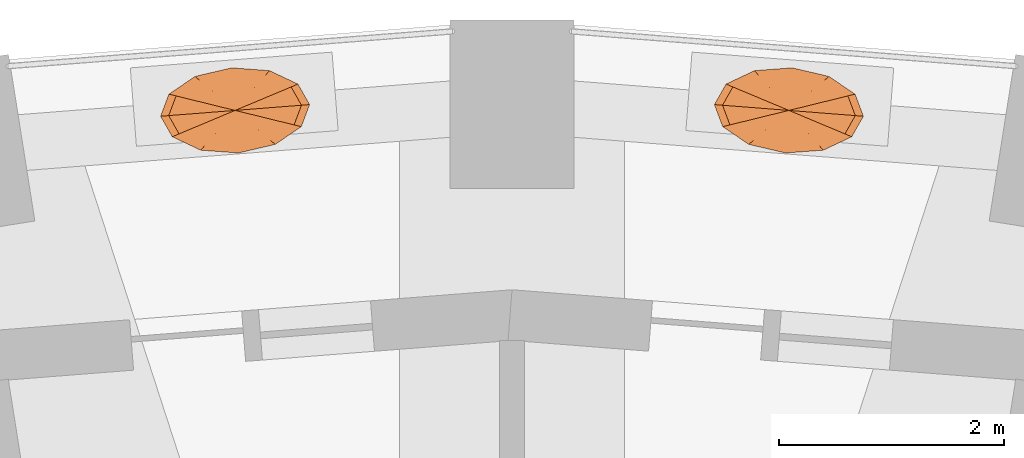
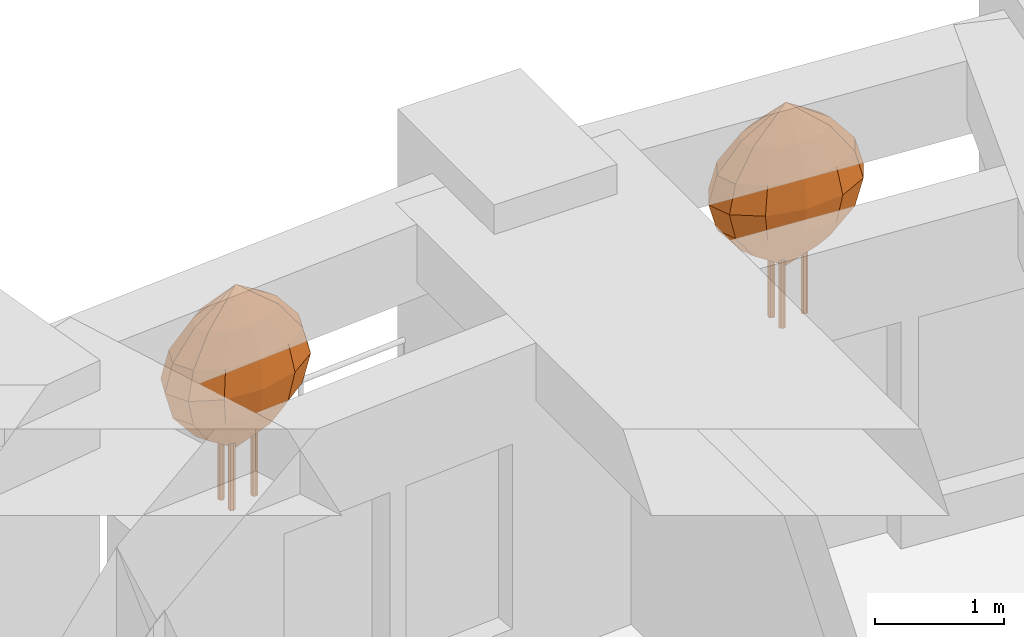
# One storey, part 13 of 13: 2 geographic elements.
"""IFC4 building model written with IfcOpenShell, lengths in metres."""

from ifc_helpers import new_model, si_unit, direction, frame, origin, place, context, subcontext, project, spatial, faceted_brep, material, constituent, constituent_set, type_object, element, save


model = new_model("IFC4")

# Units and contexts
model_context = context("Model", 3, precision=1e-05, world=origin(), true_north=direction((0.0, 1.0)))
body_context = subcontext(model_context, "Body", "Model", "MODEL_VIEW")
ifc_project = project(units=[si_unit("LENGTHUNIT", "METRE"), si_unit("AREAUNIT", "SQUARE_METRE"), si_unit("VOLUMEUNIT", "CUBIC_METRE"), si_unit("PLANEANGLEUNIT", "RADIAN"), si_unit("MASSUNIT", "GRAM", prefix="KILO")], contexts=[model_context])

# Site, building, storey
site_placement = place(None, origin())
site = spatial("IfcSite", under=ifc_project, at=site_placement, CompositionType="ELEMENT")
building_placement = place(site_placement, origin())
building = spatial("IfcBuilding", under=site, at=building_placement, Name="Taillehof Tower", CompositionType="ELEMENT")
storey_placement = place(building_placement, frame((0.0, 0.0, 58.0)))
storey = spatial("IfcBuildingStorey", under=building, at=storey_placement, Name="L15", CompositionType="ELEMENT", Elevation=58.0)

# Geographic elements
ifc_material_1 = material(Name="Tree bark", Category="timber")
ifc_constituent_1 = constituent(ifc_material_1, Name="Trunk", Category="timber")
ifc_material_2 = material(Name="Tree foliage")
ifc_constituent_2 = constituent(ifc_material_2, Name="Crown")
ifc_constituent_set = constituent_set(constituents=[ifc_constituent_1, ifc_constituent_2], Name="Tree TR3 Multi-stem serviceberry")
geographic_element_type = type_object("IfcGeographicElementType", Name="Tree TR3 Multi-stem serviceberry", PredefinedType="USERDEFINED", material=ifc_constituent_set)
geographic_element_1_placement = place(storey_placement, frame((2.463623046875, 25.195556640625, 0.75)))
element("IfcGeographicElement", 1, at=geographic_element_1_placement, inside=storey, type_object=geographic_element_type, Name="Tree TR3 Multi-stem serviceberry", ObjectType="TREE", PredefinedType="USERDEFINED", context=body_context, shape_type="Brep", body=[
    faceted_brep([(0.195068359375, 0.0, 0.0), (0.186767578125, 0.0205078125, 0.0), (0.186767578125, 0.0205078125, 1.04248046875), (0.195068359375, 0.0, 1.04248046875), (0.166259765625, 0.02880859375, 0.0), (0.166259765625, 0.02880859375, 1.04248046875), (0.145751953125, 0.0205078125, 0.0), (0.145751953125, 0.0205078125, 1.04248046875), (0.137451171875, 0.0, 0.0), (0.137451171875, 0.0, 1.04248046875), (0.145751953125, -0.0205078125, 0.0), (0.145751953125, -0.0205078125, 1.04248046875), (0.166259765625, -0.02880859375, 0.0), (0.166259765625, -0.02880859375, 1.04248046875), (0.186767578125, -0.0205078125, 0.0), (0.186767578125, -0.0205078125, 1.04248046875)], [[[0, 1, 2, 3]], [[1, 4, 5, 2]], [[4, 6, 7, 5]], [[6, 8, 9, 7]], [[8, 10, 11, 9]], [[10, 12, 13, 11]], [[12, 14, 15, 13]], [[14, 0, 3, 15]], [[14, 12, 10, 8, 6, 4, 1, 0]], [[3, 2, 5, 7, 9, 11, 13, 15]]]),
    faceted_brep([(-0.05419921875, 0.082275390625, 0.0), (-0.062744140625, 0.102783203125, 0.0), (-0.062744140625, 0.102783203125, 1.04248046875), (-0.05419921875, 0.082275390625, 1.04248046875), (-0.0830078125, 0.111083984375, 0.0), (-0.0830078125, 0.111083984375, 1.04248046875), (-0.103515625, 0.102783203125, 0.0), (-0.103515625, 0.102783203125, 1.04248046875), (-0.112060546875, 0.082275390625, 0.0), (-0.112060546875, 0.082275390625, 1.04248046875), (-0.103515625, 0.061767578125, 0.0), (-0.103515625, 0.061767578125, 1.04248046875), (-0.0830078125, 0.053466796875, 0.0), (-0.0830078125, 0.053466796875, 1.04248046875), (-0.062744140625, 0.061767578125, 0.0), (-0.062744140625, 0.061767578125, 1.04248046875)], [[[0, 1, 2, 3]], [[1, 4, 5, 2]], [[4, 6, 7, 5]], [[6, 8, 9, 7]], [[8, 10, 11, 9]], [[10, 12, 13, 11]], [[12, 14, 15, 13]], [[14, 0, 3, 15]], [[14, 12, 10, 8, 6, 4, 1, 0]], [[3, 2, 5, 7, 9, 11, 13, 15]]]),
    faceted_brep([(-0.05419921875, -0.082275390625, 0.0), (-0.062744140625, -0.061767578125, 0.0), (-0.062744140625, -0.061767578125, 1.04248046875), (-0.05419921875, -0.082275390625, 1.04248046875), (-0.0830078125, -0.053466796875, 0.0), (-0.0830078125, -0.053466796875, 1.04248046875), (-0.103515625, -0.061767578125, 0.0), (-0.103515625, -0.061767578125, 1.04248046875), (-0.112060546875, -0.082275390625, 0.0), (-0.112060546875, -0.082275390625, 1.04248046875), (-0.103515625, -0.102783203125, 0.0), (-0.103515625, -0.102783203125, 1.04248046875), (-0.0830078125, -0.111083984375, 0.0), (-0.0830078125, -0.111083984375, 1.04248046875), (-0.062744140625, -0.102783203125, 0.0), (-0.062744140625, -0.102783203125, 1.04248046875)], [[[0, 1, 2, 3]], [[1, 4, 5, 2]], [[4, 6, 7, 5]], [[6, 8, 9, 7]], [[8, 10, 11, 9]], [[10, 12, 13, 11]], [[12, 14, 15, 13]], [[14, 0, 3, 15]], [[14, 12, 10, 8, 6, 4, 1, 0]], [[3, 2, 5, 7, 9, 11, 13, 15]]]),
    faceted_brep([(0.0, 0.0, 0.5), (-0.33837890625, -0.0830078125, 0.75830078125), (-0.380859375, 0.02978515625, 0.75830078125), (-0.205078125, -0.173583984375, 0.75830078125), (-0.01708984375, -0.217529296875, 0.75830078125), (0.175537109375, -0.203369140625, 0.75830078125), (0.3212890625, -0.134521484375, 0.75830078125), (0.380859375, -0.02978515625, 0.75830078125), (0.33837890625, 0.0830078125, 0.75830078125), (0.205078125, 0.173583984375, 0.75830078125), (0.01708984375, 0.217529296875, 0.75830078125), (-0.175537109375, 0.203369140625, 0.75830078125), (-0.3212890625, 0.134521484375, 0.75830078125), (-0.52490234375, -0.12890625, 1.0166015625), (-0.5908203125, 0.046142578125, 1.0166015625), (-0.318359375, -0.269287109375, 1.0166015625), (-0.0263671875, -0.337646484375, 1.0166015625), (0.272705078125, -0.3154296875, 1.0166015625), (0.49853515625, -0.208740234375, 1.0166015625), (0.5908203125, -0.046142578125, 1.0166015625), (0.52490234375, 0.12890625, 1.0166015625), (0.318359375, 0.269287109375, 1.0166015625), (0.0263671875, 0.337646484375, 1.0166015625), (-0.272705078125, 0.3154296875, 1.0166015625), (-0.49853515625, 0.208740234375, 1.0166015625), (-0.5888671875, -0.14453125, 1.27490234375), (-0.6630859375, 0.0517578125, 1.27490234375), (-0.357177734375, -0.30224609375, 1.27490234375), (-0.029541015625, -0.37890625, 1.27490234375), (0.305908203125, -0.35400390625, 1.27490234375), (0.559326171875, -0.234375, 1.27490234375), (0.6630859375, -0.0517578125, 1.27490234375), (0.5888671875, 0.14453125, 1.27490234375), (0.357177734375, 0.30224609375, 1.27490234375), (0.029541015625, 0.37890625, 1.27490234375), (-0.305908203125, 0.35400390625, 1.27490234375), (-0.559326171875, 0.234375, 1.27490234375), (-0.52490234375, -0.12890625, 1.533447265625), (-0.5908203125, 0.046142578125, 1.533447265625), (-0.318359375, -0.269287109375, 1.533447265625), (-0.0263671875, -0.337646484375, 1.533447265625), (0.272705078125, -0.3154296875, 1.533447265625), (0.49853515625, -0.208740234375, 1.533447265625), (0.5908203125, -0.046142578125, 1.533447265625), (0.52490234375, 0.12890625, 1.533447265625), (0.318359375, 0.269287109375, 1.533447265625), (0.0263671875, 0.337646484375, 1.533447265625), (-0.272705078125, 0.3154296875, 1.533447265625), (-0.49853515625, 0.208740234375, 1.533447265625), (-0.33837890625, -0.0830078125, 1.791748046875), (-0.380859375, 0.02978515625, 1.791748046875), (-0.205078125, -0.173583984375, 1.791748046875), (-0.01708984375, -0.217529296875, 1.791748046875), (0.175537109375, -0.203369140625, 1.791748046875), (0.3212890625, -0.134521484375, 1.791748046875), (0.380859375, -0.02978515625, 1.791748046875), (0.33837890625, 0.0830078125, 1.791748046875), (0.205078125, 0.173583984375, 1.791748046875), (0.01708984375, 0.217529296875, 1.791748046875), (-0.175537109375, 0.203369140625, 1.791748046875), (-0.3212890625, 0.134521484375, 1.791748046875), (0.0, 0.0, 2.050048828125)], [[[0, 1, 2]], [[0, 3, 1]], [[0, 4, 3]], [[0, 5, 4]], [[0, 6, 5]], [[0, 7, 6]], [[0, 8, 7]], [[0, 9, 8]], [[0, 10, 9]], [[0, 11, 10]], [[0, 12, 11]], [[0, 2, 12]], [[2, 1, 13, 14]], [[1, 3, 15, 13]], [[3, 4, 16, 15]], [[4, 5, 17, 16]], [[5, 6, 18, 17]], [[6, 7, 19, 18]], [[7, 8, 20, 19]], [[8, 9, 21, 20]], [[9, 10, 22, 21]], [[10, 11, 23, 22]], [[11, 12, 24, 23]], [[12, 2, 14, 24]], [[14, 13, 25, 26]], [[13, 15, 27, 25]], [[15, 16, 28, 27]], [[16, 17, 29, 28]], [[17, 18, 30, 29]], [[18, 19, 31, 30]], [[19, 20, 32, 31]], [[20, 21, 33, 32]], [[21, 22, 34, 33]], [[22, 23, 35, 34]], [[23, 24, 36, 35]], [[24, 14, 26, 36]], [[26, 25, 37, 38]], [[25, 27, 39, 37]], [[27, 28, 40, 39]], [[28, 29, 41, 40]], [[29, 30, 42, 41]], [[30, 31, 43, 42]], [[31, 32, 44, 43]], [[32, 33, 45, 44]], [[33, 34, 46, 45]], [[34, 35, 47, 46]], [[35, 36, 48, 47]], [[36, 26, 38, 48]], [[38, 37, 49, 50]], [[37, 39, 51, 49]], [[39, 40, 52, 51]], [[40, 41, 53, 52]], [[41, 42, 54, 53]], [[42, 43, 55, 54]], [[43, 44, 56, 55]], [[44, 45, 57, 56]], [[45, 46, 58, 57]], [[46, 47, 59, 58]], [[47, 48, 60, 59]], [[48, 38, 50, 60]], [[50, 49, 61]], [[49, 51, 61]], [[51, 52, 61]], [[52, 53, 61]], [[53, 54, 61]], [[54, 55, 61]], [[55, 56, 61]], [[56, 57, 61]], [[57, 58, 61]], [[58, 59, 61]], [[59, 60, 61]], [[60, 50, 61]]]),
])
geographic_element_2_placement = place(storey_placement, frame((-2.463623046875, 25.195556640625, 0.75)))
element("IfcGeographicElement", 2, at=geographic_element_2_placement, inside=storey, type_object=geographic_element_type, Name="Tree TR3 Multi-stem serviceberry", ObjectType="TREE", PredefinedType="USERDEFINED", context=body_context, shape_type="Brep", body=[
    faceted_brep([(0.195068359375, 0.0, 0.0), (0.186767578125, 0.0205078125, 0.0), (0.186767578125, 0.0205078125, 1.04248046875), (0.195068359375, 0.0, 1.04248046875), (0.166259765625, 0.02880859375, 0.0), (0.166259765625, 0.02880859375, 1.04248046875), (0.145751953125, 0.0205078125, 0.0), (0.145751953125, 0.0205078125, 1.04248046875), (0.137451171875, 0.0, 0.0), (0.137451171875, 0.0, 1.04248046875), (0.145751953125, -0.0205078125, 0.0), (0.145751953125, -0.0205078125, 1.04248046875), (0.166259765625, -0.02880859375, 0.0), (0.166259765625, -0.02880859375, 1.04248046875), (0.186767578125, -0.0205078125, 0.0), (0.186767578125, -0.0205078125, 1.04248046875)], [[[0, 1, 2, 3]], [[1, 4, 5, 2]], [[4, 6, 7, 5]], [[6, 8, 9, 7]], [[8, 10, 11, 9]], [[10, 12, 13, 11]], [[12, 14, 15, 13]], [[14, 0, 3, 15]], [[14, 12, 10, 8, 6, 4, 1, 0]], [[3, 2, 5, 7, 9, 11, 13, 15]]]),
    faceted_brep([(-0.05419921875, 0.082275390625, 0.0), (-0.062744140625, 0.102783203125, 0.0), (-0.062744140625, 0.102783203125, 1.04248046875), (-0.05419921875, 0.082275390625, 1.04248046875), (-0.0830078125, 0.111083984375, 0.0), (-0.0830078125, 0.111083984375, 1.04248046875), (-0.103515625, 0.102783203125, 0.0), (-0.103515625, 0.102783203125, 1.04248046875), (-0.112060546875, 0.082275390625, 0.0), (-0.112060546875, 0.082275390625, 1.04248046875), (-0.103515625, 0.061767578125, 0.0), (-0.103515625, 0.061767578125, 1.04248046875), (-0.0830078125, 0.053466796875, 0.0), (-0.0830078125, 0.053466796875, 1.04248046875), (-0.062744140625, 0.061767578125, 0.0), (-0.062744140625, 0.061767578125, 1.04248046875)], [[[0, 1, 2, 3]], [[1, 4, 5, 2]], [[4, 6, 7, 5]], [[6, 8, 9, 7]], [[8, 10, 11, 9]], [[10, 12, 13, 11]], [[12, 14, 15, 13]], [[14, 0, 3, 15]], [[14, 12, 10, 8, 6, 4, 1, 0]], [[3, 2, 5, 7, 9, 11, 13, 15]]]),
    faceted_brep([(-0.05419921875, -0.082275390625, 0.0), (-0.062744140625, -0.061767578125, 0.0), (-0.062744140625, -0.061767578125, 1.04248046875), (-0.05419921875, -0.082275390625, 1.04248046875), (-0.0830078125, -0.053466796875, 0.0), (-0.0830078125, -0.053466796875, 1.04248046875), (-0.103515625, -0.061767578125, 0.0), (-0.103515625, -0.061767578125, 1.04248046875), (-0.112060546875, -0.082275390625, 0.0), (-0.112060546875, -0.082275390625, 1.04248046875), (-0.103515625, -0.102783203125, 0.0), (-0.103515625, -0.102783203125, 1.04248046875), (-0.0830078125, -0.111083984375, 0.0), (-0.0830078125, -0.111083984375, 1.04248046875), (-0.062744140625, -0.102783203125, 0.0), (-0.062744140625, -0.102783203125, 1.04248046875)], [[[0, 1, 2, 3]], [[1, 4, 5, 2]], [[4, 6, 7, 5]], [[6, 8, 9, 7]], [[8, 10, 11, 9]], [[10, 12, 13, 11]], [[12, 14, 15, 13]], [[14, 0, 3, 15]], [[14, 12, 10, 8, 6, 4, 1, 0]], [[3, 2, 5, 7, 9, 11, 13, 15]]]),
    faceted_brep([(0.0, 0.0, 0.5), (-0.3212890625, -0.134521484375, 0.75830078125), (-0.380859375, -0.02978515625, 0.75830078125), (-0.175537109375, -0.203369140625, 0.75830078125), (0.01708984375, -0.217529296875, 0.75830078125), (0.205078125, -0.173583984375, 0.75830078125), (0.33837890625, -0.0830078125, 0.75830078125), (0.380859375, 0.02978515625, 0.75830078125), (0.3212890625, 0.134521484375, 0.75830078125), (0.175537109375, 0.203369140625, 0.75830078125), (-0.01708984375, 0.217529296875, 0.75830078125), (-0.205078125, 0.173583984375, 0.75830078125), (-0.33837890625, 0.0830078125, 0.75830078125), (-0.49853515625, -0.208740234375, 1.0166015625), (-0.5908203125, -0.046142578125, 1.0166015625), (-0.272705078125, -0.3154296875, 1.0166015625), (0.0263671875, -0.337646484375, 1.0166015625), (0.318359375, -0.269287109375, 1.0166015625), (0.52490234375, -0.12890625, 1.0166015625), (0.5908203125, 0.046142578125, 1.0166015625), (0.49853515625, 0.208740234375, 1.0166015625), (0.272705078125, 0.3154296875, 1.0166015625), (-0.0263671875, 0.337646484375, 1.0166015625), (-0.318359375, 0.269287109375, 1.0166015625), (-0.52490234375, 0.12890625, 1.0166015625), (-0.559326171875, -0.234375, 1.27490234375), (-0.6630859375, -0.0517578125, 1.27490234375), (-0.305908203125, -0.35400390625, 1.27490234375), (0.029541015625, -0.37890625, 1.27490234375), (0.357177734375, -0.30224609375, 1.27490234375), (0.5888671875, -0.14453125, 1.27490234375), (0.6630859375, 0.0517578125, 1.27490234375), (0.559326171875, 0.234375, 1.27490234375), (0.305908203125, 0.35400390625, 1.27490234375), (-0.029541015625, 0.37890625, 1.27490234375), (-0.357177734375, 0.30224609375, 1.27490234375), (-0.5888671875, 0.14453125, 1.27490234375), (-0.49853515625, -0.208740234375, 1.533447265625), (-0.5908203125, -0.046142578125, 1.533447265625), (-0.272705078125, -0.3154296875, 1.533447265625), (0.0263671875, -0.337646484375, 1.533447265625), (0.318359375, -0.269287109375, 1.533447265625), (0.52490234375, -0.12890625, 1.533447265625), (0.5908203125, 0.046142578125, 1.533447265625), (0.49853515625, 0.208740234375, 1.533447265625), (0.272705078125, 0.3154296875, 1.533447265625), (-0.0263671875, 0.337646484375, 1.533447265625), (-0.318359375, 0.269287109375, 1.533447265625), (-0.52490234375, 0.12890625, 1.533447265625), (-0.3212890625, -0.134521484375, 1.791748046875), (-0.380859375, -0.02978515625, 1.791748046875), (-0.175537109375, -0.203369140625, 1.791748046875), (0.01708984375, -0.217529296875, 1.791748046875), (0.205078125, -0.173583984375, 1.791748046875), (0.33837890625, -0.0830078125, 1.791748046875), (0.380859375, 0.02978515625, 1.791748046875), (0.3212890625, 0.134521484375, 1.791748046875), (0.175537109375, 0.203369140625, 1.791748046875), (-0.01708984375, 0.217529296875, 1.791748046875), (-0.205078125, 0.173583984375, 1.791748046875), (-0.33837890625, 0.0830078125, 1.791748046875), (0.0, 0.0, 2.050048828125)], [[[0, 1, 2]], [[0, 3, 1]], [[0, 4, 3]], [[0, 5, 4]], [[0, 6, 5]], [[0, 7, 6]], [[0, 8, 7]], [[0, 9, 8]], [[0, 10, 9]], [[0, 11, 10]], [[0, 12, 11]], [[0, 2, 12]], [[2, 1, 13, 14]], [[1, 3, 15, 13]], [[3, 4, 16, 15]], [[4, 5, 17, 16]], [[5, 6, 18, 17]], [[6, 7, 19, 18]], [[7, 8, 20, 19]], [[8, 9, 21, 20]], [[9, 10, 22, 21]], [[10, 11, 23, 22]], [[11, 12, 24, 23]], [[12, 2, 14, 24]], [[14, 13, 25, 26]], [[13, 15, 27, 25]], [[15, 16, 28, 27]], [[16, 17, 29, 28]], [[17, 18, 30, 29]], [[18, 19, 31, 30]], [[19, 20, 32, 31]], [[20, 21, 33, 32]], [[21, 22, 34, 33]], [[22, 23, 35, 34]], [[23, 24, 36, 35]], [[24, 14, 26, 36]], [[26, 25, 37, 38]], [[25, 27, 39, 37]], [[27, 28, 40, 39]], [[28, 29, 41, 40]], [[29, 30, 42, 41]], [[30, 31, 43, 42]], [[31, 32, 44, 43]], [[32, 33, 45, 44]], [[33, 34, 46, 45]], [[34, 35, 47, 46]], [[35, 36, 48, 47]], [[36, 26, 38, 48]], [[38, 37, 49, 50]], [[37, 39, 51, 49]], [[39, 40, 52, 51]], [[40, 41, 53, 52]], [[41, 42, 54, 53]], [[42, 43, 55, 54]], [[43, 44, 56, 55]], [[44, 45, 57, 56]], [[45, 46, 58, 57]], [[46, 47, 59, 58]], [[47, 48, 60, 59]], [[48, 38, 50, 60]], [[50, 49, 61]], [[49, 51, 61]], [[51, 52, 61]], [[52, 53, 61]], [[53, 54, 61]], [[54, 55, 61]], [[55, 56, 61]], [[56, 57, 61]], [[57, 58, 61]], [[58, 59, 61]], [[59, 60, 61]], [[60, 50, 61]]]),
])

save(model, "model.ifc")
